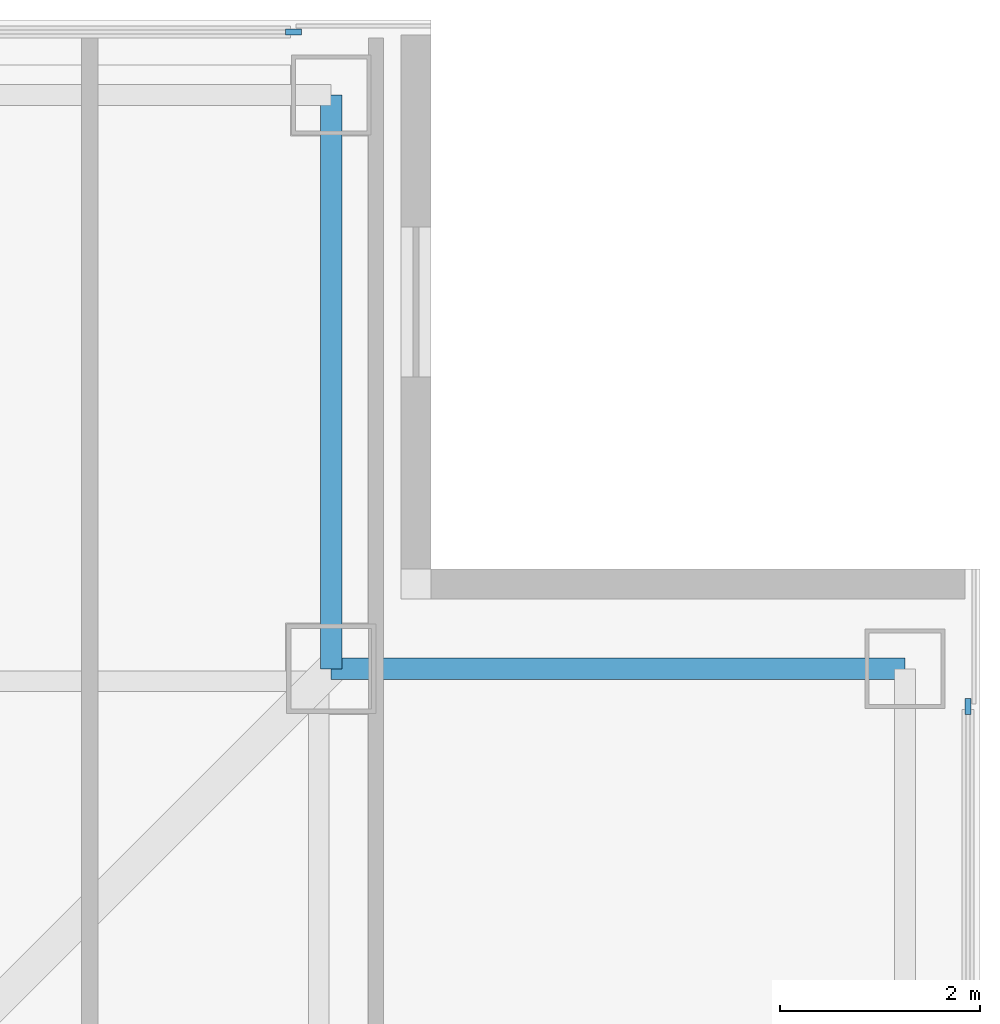
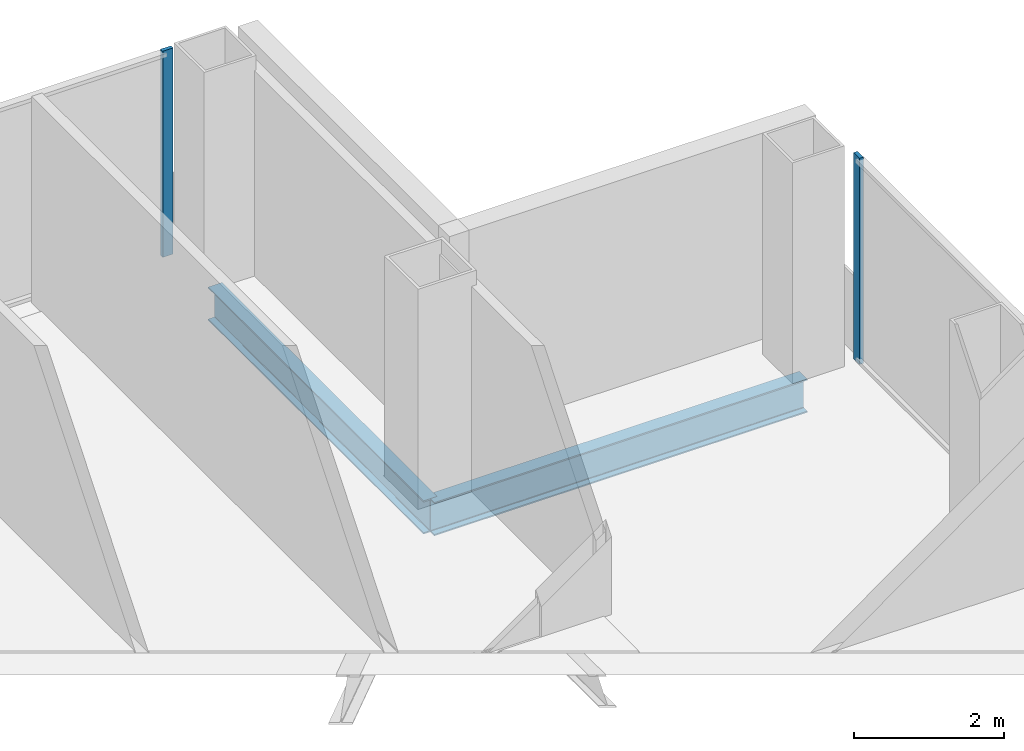
# One storey, part 9 of 18: 2 beams, 2 members, 2 elements without a shape of their own.
"""IFC4 building model written with IfcOpenShell, lengths in metres."""

from ifc_helpers import new_model, si_unit, direction, frame, origin, origin_2d, place, context, subcontext, project, spatial, rectangle, i_section, extrude, material, layer, layer_set, material_profile, profile_set, type_object, element, aggregate, save


model = new_model("IFC4")

# Units and contexts
model_context = context("Model", 3, precision=1e-05, world=origin(), true_north=direction((0.0, 1.0)))
body_context = subcontext(model_context, "Body", "Model", "MODEL_VIEW")
ifc_project = project(units=[si_unit("LENGTHUNIT", "METRE"), si_unit("AREAUNIT", "SQUARE_METRE"), si_unit("VOLUMEUNIT", "CUBIC_METRE"), si_unit("PLANEANGLEUNIT", "RADIAN"), si_unit("MASSUNIT", "GRAM", prefix="KILO")], contexts=[model_context])

# Site, building, storey
site_placement = place(None, origin())
site = spatial("IfcSite", under=ifc_project, at=site_placement, CompositionType="ELEMENT")
building_placement = place(site_placement, origin())
building = spatial("IfcBuilding", under=site, at=building_placement, Name="Trevonay Congress Spire", CompositionType="ELEMENT")
storey_placement = place(building_placement, frame((0.0, 0.0, 220.199951171875)))
storey = spatial("IfcBuildingStorey", under=building, at=storey_placement, Name="L57", CompositionType="ELEMENT", Elevation=220.199951171875)

# Beams
ifc_material_1 = material(Name="Steel ASTM A572 Grade 50", Category="steel")
ifc_material_profile_1 = material_profile(ifc_material_1, i_section(OverallWidth=0.2119140625, OverallDepth=0.5439453125, WebThickness=0.01318359375, FlangeThickness=0.021240234375, FilletRadius=0.014892578125, at=origin_2d()), Name="W530x123")
ifc_profile_set_1 = profile_set([ifc_material_profile_1], Name="Steel ASTM A572 Grade 50")
beam_type = type_object("IfcBeamType", Name="BM-RING-W530X123", PredefinedType="BEAM", material=ifc_profile_set_1)
for number, where, z_axis, x_axis, name in (
    (1, (13.5, 19.25, -0.511962890625), (0.0, -1.0, 0.0), (1.0, 0.0, 0.0), "L57 structural beam BM-L57-N1NE"),
    (2, (19.25, 13.5, -0.511962890625), (-1.0, 0.0, 0.0), (0.0, -1.0, 0.0), "L57 structural beam BM-L57-N2NE"),
):
    element("IfcBeam", number, at=place(storey_placement, frame(where, z_axis=z_axis, x_axis=x_axis)), inside=storey, type_object=beam_type, Name=name, PredefinedType="BEAM", context=body_context, shape_type="SweptSolid", body=[
        extrude(i_section(OverallWidth=0.2119140625, OverallDepth=0.5439453125, WebThickness=0.01318359375, FlangeThickness=0.021240234375, FilletRadius=0.014892578125, at=origin_2d()), origin(), (0.0, 0.0, 1.0), 5.75),
    ])

# Curtain wall, member
ifc_material_2 = material(Name="Pale Anodised Aluminium EN AW-6063-T6", Category="aluminium")
ifc_layer = layer(ifc_material_2, 0.169921875, Name="Pale Anodised Aluminium EN AW-6063-T6")
ifc_layer_set = layer_set([ifc_layer], Name="Pale Anodised Aluminium EN AW-6063-T6")
curtain_wall_type = type_object("IfcCurtainWallType", Name="CW-SYS04-CORP-PALE-METAL", PredefinedType="NOTDEFINED", material=ifc_layer_set)
curtain_wall_1_placement = place(storey_placement, origin())
curtain_wall_1 = element("IfcCurtainWall", 3, at=curtain_wall_1_placement, inside=storey, type_object=curtain_wall_type, Name="L57 N unitised curtain wall", PredefinedType="NOTDEFINED")
ifc_material_profile_2 = material_profile(ifc_material_2, rectangle(XDim=0.06005859375, YDim=0.159912109375, at=origin_2d()), Name="CW-MULLION-160-ALUMINIUM")
ifc_profile_set_2 = profile_set([ifc_material_profile_2], Name="Pale Anodised Aluminium EN AW-6063-T6")
member_type = type_object("IfcMemberType", Name="CW-MULLION-160-ALUMINIUM", PredefinedType="MULLION", material=ifc_profile_set_2)
member_1_placement = place(storey_placement, frame((13.1201171875, 19.8798828125, 0.0), z_axis=(0.0, 0.0, 1.0), x_axis=(0.0, 1.0, 0.0)))
member_1 = element("IfcMember", 4, at=member_1_placement, type_object=member_type, Name="CW04 mullion 6", PredefinedType="MULLION", context=body_context, shape_type="SweptSolid", body=[
    extrude(rectangle(XDim=0.06005859375, YDim=0.159912109375, at=origin_2d()), origin(), (0.0, 0.0, 1.0), 3.360107421875),
])
aggregate(curtain_wall_1, [member_1])

curtain_wall_2_placement = place(storey_placement, origin())
curtain_wall_2 = element("IfcCurtainWall", 5, at=curtain_wall_2_placement, inside=storey, type_object=curtain_wall_type, Name="L57 E unitised curtain wall", PredefinedType="NOTDEFINED")
member_2_placement = place(storey_placement, frame((19.8798828125, 13.1201171875, 0.0), z_axis=(0.0, 0.0, 1.0), x_axis=(-1.0, 0.0, 0.0)))
member_2 = element("IfcMember", 6, at=member_2_placement, type_object=member_type, Name="CW04 mullion 6", PredefinedType="MULLION", context=body_context, shape_type="SweptSolid", body=[
    extrude(rectangle(XDim=0.06005859375, YDim=0.159912109375, at=origin_2d()), origin(), (0.0, 0.0, 1.0), 3.360107421875),
])
aggregate(curtain_wall_2, [member_2])

save(model, "model.ifc")
